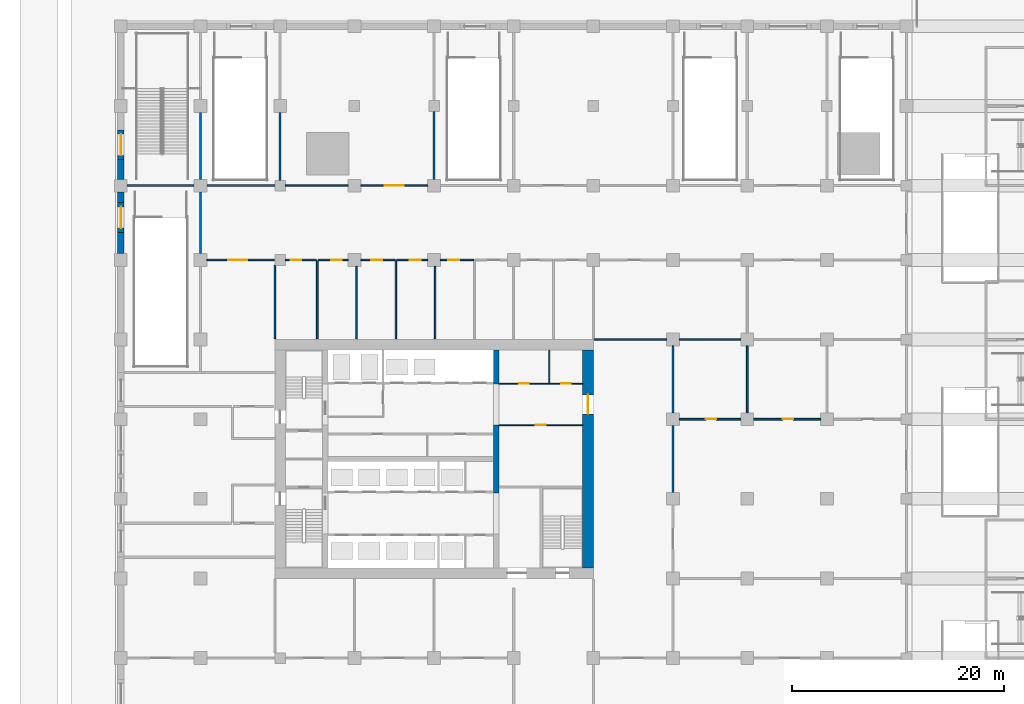
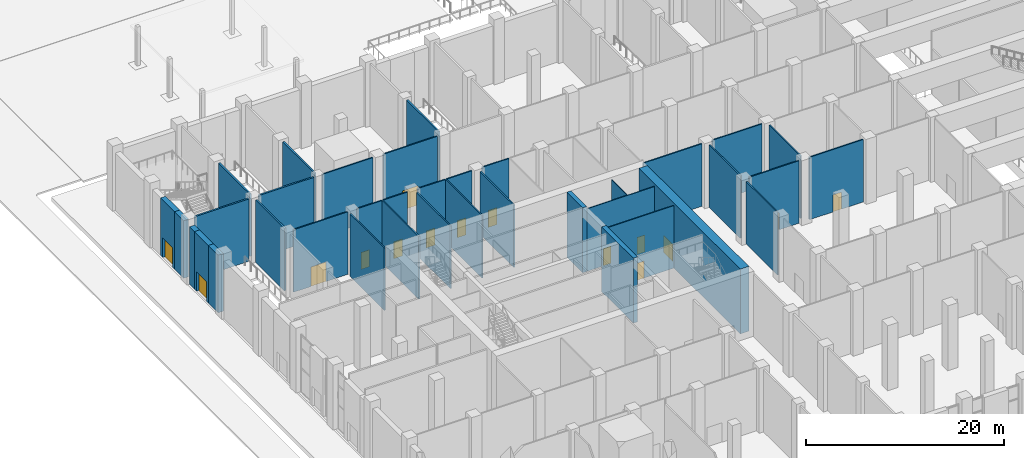
# One storey, part 29 of 57: 37 walls, 15 doors, 15 openings.
"""IFC4 building model written with IfcOpenShell, lengths in metres."""

from ifc_helpers import new_model, si_unit, direction, frame, frame_2d, origin, place, context, subcontext, project, spatial, rectangle, extrude, material, layer, layer_set, type_object, element, fill, save


model = new_model("IFC4")

# Units and contexts
model_context = context("Model", 3, precision=1e-05, world=origin(), true_north=direction((0.0, 1.0)))
body_context = subcontext(model_context, "Body", "Model", "MODEL_VIEW")
ifc_project = project(units=[si_unit("LENGTHUNIT", "METRE"), si_unit("AREAUNIT", "SQUARE_METRE"), si_unit("VOLUMEUNIT", "CUBIC_METRE"), si_unit("PLANEANGLEUNIT", "RADIAN"), si_unit("MASSUNIT", "GRAM", prefix="KILO")], contexts=[model_context])

# Site, building, storey
site_placement = place(None, origin())
site = spatial("IfcSite", under=ifc_project, at=site_placement, CompositionType="ELEMENT")
building_placement = place(site_placement, origin())
building = spatial("IfcBuilding", under=site, at=building_placement, Name="Tamorin Gate", CompositionType="ELEMENT")
storey_placement = place(building_placement, origin())
storey = spatial("IfcBuildingStorey", under=building, at=storey_placement, Name="L00", CompositionType="ELEMENT", Elevation=0.0)

# Wall
ifc_material_1 = material(Name="Concrete masonry C20/25", Category="masonry")
ifc_layer_1 = layer(ifc_material_1, 0.14990234375)
ifc_layer_set_1 = layer_set([ifc_layer_1], Name="Partition 150")
wall_type_1 = type_object("IfcWallType", Name="Partition 150", PredefinedType="PARTITIONING", material=ifc_layer_set_1)
wall_1_placement = place(storey_placement, frame((31.0, 97.0, 0.0), z_axis=(0.0, 0.0, 1.0), x_axis=(1.0, 0.0, 0.0)))
element("IfcWall", 1, at=wall_1_placement, inside=storey, type_object=wall_type_1, Name="Partition 150 L00", PredefinedType="PARTITIONING", context=body_context, shape_type="SweptSolid", body=[
    extrude(rectangle(XDim=5.89990234375, YDim=0.14990234375, at=frame_2d((2.949951171875, 0.0))), origin(), (0.0, 0.0, 1.0), 7.699951171875),
])

# Wall, opening, door
wall_2_placement = place(storey_placement, frame((44.39990234375, 97.0, 0.0), z_axis=(0.0, 0.0, 1.0), x_axis=(-1.0, 0.0, 0.0)))
wall_2 = element("IfcWall", 2, at=wall_2_placement, inside=storey, type_object=wall_type_1, Name="Partition 150 L00", PredefinedType="PARTITIONING", context=body_context, shape_type="SweptSolid", body=[
    extrude(rectangle(XDim=6.2998046875, YDim=0.14990234375, at=frame_2d((3.14990234375, 0.0))), origin(), (0.0, 0.0, 1.0), 7.699951171875),
])
opening_1_placement = place(wall_2_placement, frame((2.25, 0.0, 0.0)))
opening_1 = element("IfcOpeningElement", 3, at=opening_1_placement, cuts=wall_2, Name="Opening DP3", PredefinedType="OPENING", context=body_context, shape_type="SweptSolid", body=[
    extrude(rectangle(XDim=1.800048828125, YDim=2.39990234375, at=frame_2d((0.89990234375, 1.199951171875))), frame((0.0, 0.0849609375, 0.0), z_axis=(0.0, -1.0, 0.0), x_axis=(1.0, 0.0, 0.0)), (0.0, 0.0, 1.0), 0.169921875),
])
ifc_material_2 = material(Name="Steel and glass", Category="steel")
door_type_1 = type_object("IfcDoorType", Name="Door pair 1800", OperationType="DOUBLE_DOOR_SINGLE_SWING", PredefinedType="DOOR", material=ifc_material_2)
door_1_placement = place(opening_1_placement, origin())
door_1 = element("IfcDoor", 4, at=door_1_placement, inside=storey, type_object=door_type_1, Name="Door pair 1800 L00", OperationType="SINGLE_SWING_LEFT", OverallHeight=2.39990234375, OverallWidth=1.800048828125, PredefinedType="DOOR", context=body_context, shape_type="SweptSolid", body=[
    extrude(rectangle(XDim=1.800048828125, YDim=2.39990234375, at=frame_2d((0.89990234375, 1.199951171875))), frame((0.0, 0.02490234375, 0.0), z_axis=(0.0, -1.0, 0.0), x_axis=(1.0, 0.0, 0.0)), (0.0, 0.0, 1.0), 0.050048828125),
])
fill(opening_1, door_1)

wall_3_placement = place(storey_placement, frame((23.60009765625, 90.0, 0.0), z_axis=(0.0, 0.0, 1.0), x_axis=(1.0, 0.0, 0.0)))
wall_3 = element("IfcWall", 5, at=wall_3_placement, inside=storey, type_object=wall_type_1, Name="Partition 150 L00", PredefinedType="PARTITIONING", context=body_context, shape_type="SweptSolid", body=[
    extrude(rectangle(XDim=6.324951171875, YDim=0.14990234375, at=frame_2d((3.16259765625, 0.0))), origin(), (0.0, 0.0, 1.0), 7.699951171875),
])
opening_2_placement = place(wall_3_placement, frame((2.0, 0.0, 0.0)))
opening_2 = element("IfcOpeningElement", 6, at=opening_2_placement, cuts=wall_3, Name="Opening DP3", PredefinedType="OPENING", context=body_context, shape_type="SweptSolid", body=[
    extrude(rectangle(XDim=1.800048828125, YDim=2.39990234375, at=frame_2d((0.89990234375, 1.199951171875))), frame((0.0, 0.0849609375, 0.0), z_axis=(0.0, -1.0, 0.0), x_axis=(1.0, 0.0, 0.0)), (0.0, 0.0, 1.0), 0.169921875),
])
door_2_placement = place(opening_2_placement, origin())
door_2 = element("IfcDoor", 7, at=door_2_placement, inside=storey, type_object=door_type_1, Name="Door pair 1800 L00", OperationType="SINGLE_SWING_LEFT", OverallHeight=2.39990234375, OverallWidth=1.800048828125, PredefinedType="DOOR", context=body_context, shape_type="SweptSolid", body=[
    extrude(rectangle(XDim=1.800048828125, YDim=2.39990234375, at=frame_2d((0.89990234375, 1.199951171875))), frame((0.0, 0.02490234375, 0.0), z_axis=(0.0, -1.0, 0.0), x_axis=(1.0, 0.0, 0.0)), (0.0, 0.0, 1.0), 0.050048828125),
])
fill(opening_2, door_2)

wall_4_placement = place(storey_placement, frame((31.0, 90.0, 0.0), z_axis=(0.0, 0.0, 1.0), x_axis=(1.0, 0.0, 0.0)))
wall_4 = element("IfcWall", 8, at=wall_4_placement, inside=storey, type_object=wall_type_1, Name="Partition 150 L00", PredefinedType="PARTITIONING", context=body_context, shape_type="SweptSolid", body=[
    extrude(rectangle(XDim=2.925048828125, YDim=0.14990234375, at=frame_2d((1.46240234375, 0.0))), origin(), (0.0, 0.0, 1.0), 7.699951171875),
])
opening_3_placement = place(wall_4_placement, frame((0.5, 0.0, 0.0)))
opening_3 = element("IfcOpeningElement", 9, at=opening_3_placement, cuts=wall_4, Name="Opening DP2", PredefinedType="OPENING", context=body_context, shape_type="SweptSolid", body=[
    extrude(rectangle(XDim=1.0, YDim=2.10009765625, at=frame_2d((0.5, 1.050048828125))), frame((0.0, 0.0849609375, 0.0), z_axis=(0.0, -1.0, 0.0), x_axis=(1.0, 0.0, 0.0)), (0.0, 0.0, 1.0), 0.169921875),
])
ifc_material_3 = material(Name="Painted steel", Category="steel")
door_type_2 = type_object("IfcDoorType", Name="Door single 1000", OperationType="SINGLE_SWING_LEFT", PredefinedType="DOOR", material=ifc_material_3)
door_3_placement = place(opening_3_placement, origin())
door_3 = element("IfcDoor", 10, at=door_3_placement, inside=storey, type_object=door_type_2, Name="Door single 1000 L00", OperationType="SINGLE_SWING_LEFT", OverallHeight=2.10009765625, OverallWidth=1.0, PredefinedType="DOOR", context=body_context, shape_type="SweptSolid", body=[
    extrude(rectangle(XDim=1.0, YDim=2.10009765625, at=frame_2d((0.5, 1.050048828125))), frame((0.0, 0.02490234375, 0.0), z_axis=(0.0, -1.0, 0.0), x_axis=(1.0, 0.0, 0.0)), (0.0, 0.0, 1.0), 0.050048828125),
])
fill(opening_3, door_3)

wall_5_placement = place(storey_placement, frame((34.074951171875, 90.0, 0.0), z_axis=(0.0, 0.0, 1.0), x_axis=(1.0, 0.0, 0.0)))
wall_5 = element("IfcWall", 11, at=wall_5_placement, inside=storey, type_object=wall_type_1, Name="Partition 150 L00", PredefinedType="PARTITIONING", context=body_context, shape_type="SweptSolid", body=[
    extrude(rectangle(XDim=2.824951171875, YDim=0.14990234375, at=frame_2d((1.41259765625, 0.0))), origin(), (0.0, 0.0, 1.0), 7.699951171875),
])
opening_4_placement = place(wall_5_placement, frame((1.25, 0.0, 0.0)))
opening_4 = element("IfcOpeningElement", 12, at=opening_4_placement, cuts=wall_5, Name="Opening DP2", PredefinedType="OPENING", context=body_context, shape_type="SweptSolid", body=[
    extrude(rectangle(XDim=1.0, YDim=2.10009765625, at=frame_2d((0.5, 1.050048828125))), frame((0.0, 0.0849609375, 0.0), z_axis=(0.0, -1.0, 0.0), x_axis=(1.0, 0.0, 0.0)), (0.0, 0.0, 1.0), 0.169921875),
])
door_4_placement = place(opening_4_placement, origin())
door_4 = element("IfcDoor", 13, at=door_4_placement, inside=storey, type_object=door_type_2, Name="Door single 1000 L00", OperationType="SINGLE_SWING_LEFT", OverallHeight=2.10009765625, OverallWidth=1.0, PredefinedType="DOOR", context=body_context, shape_type="SweptSolid", body=[
    extrude(rectangle(XDim=1.0, YDim=2.10009765625, at=frame_2d((0.5, 1.050048828125))), frame((0.0, 0.02490234375, 0.0), z_axis=(0.0, -1.0, 0.0), x_axis=(1.0, 0.0, 0.0)), (0.0, 0.0, 1.0), 0.050048828125),
])
fill(opening_4, door_4)

wall_6_placement = place(storey_placement, frame((38.10009765625, 90.0, 0.0), z_axis=(0.0, 0.0, 1.0), x_axis=(1.0, 0.0, 0.0)))
wall_6 = element("IfcWall", 14, at=wall_6_placement, inside=storey, type_object=wall_type_1, Name="Partition 150 L00", PredefinedType="PARTITIONING", context=body_context, shape_type="SweptSolid", body=[
    extrude(rectangle(XDim=3.224853515625, YDim=0.14990234375, at=frame_2d((1.6123046875, 0.0))), origin(), (0.0, 0.0, 1.0), 7.699951171875),
])
opening_5_placement = place(wall_6_placement, frame((1.0, 0.0, 0.0)))
opening_5 = element("IfcOpeningElement", 15, at=opening_5_placement, cuts=wall_6, Name="Opening DP2", PredefinedType="OPENING", context=body_context, shape_type="SweptSolid", body=[
    extrude(rectangle(XDim=1.0, YDim=2.10009765625, at=frame_2d((0.5, 1.050048828125))), frame((0.0, 0.0849609375, 0.0), z_axis=(0.0, -1.0, 0.0), x_axis=(1.0, 0.0, 0.0)), (0.0, 0.0, 1.0), 0.169921875),
])
door_5_placement = place(opening_5_placement, origin())
door_5 = element("IfcDoor", 16, at=door_5_placement, inside=storey, type_object=door_type_2, Name="Door single 1000 L00", OperationType="SINGLE_SWING_LEFT", OverallHeight=2.10009765625, OverallWidth=1.0, PredefinedType="DOOR", context=body_context, shape_type="SweptSolid", body=[
    extrude(rectangle(XDim=1.0, YDim=2.10009765625, at=frame_2d((0.5, 1.050048828125))), frame((0.0, 0.02490234375, 0.0), z_axis=(0.0, -1.0, 0.0), x_axis=(1.0, 0.0, 0.0)), (0.0, 0.0, 1.0), 0.050048828125),
])
fill(opening_5, door_5)

wall_7_placement = place(storey_placement, frame((41.47509765625, 90.0, 0.0), z_axis=(0.0, 0.0, 1.0), x_axis=(1.0, 0.0, 0.0)))
wall_7 = element("IfcWall", 17, at=wall_7_placement, inside=storey, type_object=wall_type_1, Name="Partition 150 L00", PredefinedType="PARTITIONING", context=body_context, shape_type="SweptSolid", body=[
    extrude(rectangle(XDim=2.9248046875, YDim=0.14990234375, at=frame_2d((1.46240234375, 0.0))), origin(), (0.0, 0.0, 1.0), 7.699951171875),
])
opening_6_placement = place(wall_7_placement, frame((1.25, 0.0, 0.0)))
opening_6 = element("IfcOpeningElement", 18, at=opening_6_placement, cuts=wall_7, Name="Opening DP2", PredefinedType="OPENING", context=body_context, shape_type="SweptSolid", body=[
    extrude(rectangle(XDim=1.0, YDim=2.10009765625, at=frame_2d((0.5, 1.050048828125))), frame((0.0, 0.0849609375, 0.0), z_axis=(0.0, -1.0, 0.0), x_axis=(1.0, 0.0, 0.0)), (0.0, 0.0, 1.0), 0.169921875),
])
door_6_placement = place(opening_6_placement, origin())
door_6 = element("IfcDoor", 19, at=door_6_placement, inside=storey, type_object=door_type_2, Name="Door single 1000 L00", OperationType="SINGLE_SWING_LEFT", OverallHeight=2.10009765625, OverallWidth=1.0, PredefinedType="DOOR", context=body_context, shape_type="SweptSolid", body=[
    extrude(rectangle(XDim=1.0, YDim=2.10009765625, at=frame_2d((0.5, 1.050048828125))), frame((0.0, 0.02490234375, 0.0), z_axis=(0.0, -1.0, 0.0), x_axis=(1.0, 0.0, 0.0)), (0.0, 0.0, 1.0), 0.050048828125),
])
fill(opening_6, door_6)

wall_8_placement = place(storey_placement, frame((45.60009765625, 90.0, 0.0), z_axis=(0.0, 0.0, 1.0), x_axis=(1.0, 0.0, 0.0)))
wall_8 = element("IfcWall", 20, at=wall_8_placement, inside=storey, type_object=wall_type_1, Name="Partition 150 L00", PredefinedType="PARTITIONING", context=body_context, shape_type="SweptSolid", body=[
    extrude(rectangle(XDim=3.125, YDim=0.14990234375, at=frame_2d((1.5625, 0.0))), origin(), (0.0, 0.0, 1.0), 7.699951171875),
])
opening_7_placement = place(wall_8_placement, frame((0.75, 0.0, 0.0)))
opening_7 = element("IfcOpeningElement", 21, at=opening_7_placement, cuts=wall_8, Name="Opening DP2", PredefinedType="OPENING", context=body_context, shape_type="SweptSolid", body=[
    extrude(rectangle(XDim=1.0, YDim=2.10009765625, at=frame_2d((0.5, 1.050048828125))), frame((0.0, 0.0849609375, 0.0), z_axis=(0.0, -1.0, 0.0), x_axis=(1.0, 0.0, 0.0)), (0.0, 0.0, 1.0), 0.169921875),
])
door_7_placement = place(opening_7_placement, origin())
door_7 = element("IfcDoor", 22, at=door_7_placement, inside=storey, type_object=door_type_2, Name="Door single 1000 L00", OperationType="SINGLE_SWING_LEFT", OverallHeight=2.10009765625, OverallWidth=1.0, PredefinedType="DOOR", context=body_context, shape_type="SweptSolid", body=[
    extrude(rectangle(XDim=1.0, YDim=2.10009765625, at=frame_2d((0.5, 1.050048828125))), frame((0.0, 0.02490234375, 0.0), z_axis=(0.0, -1.0, 0.0), x_axis=(1.0, 0.0, 0.0)), (0.0, 0.0, 1.0), 0.050048828125),
])
fill(opening_7, door_7)

# Walls
wall_9_placement = place(storey_placement, frame((60.074951171875, 82.5, 0.0), z_axis=(0.0, 0.0, 1.0), x_axis=(1.0, 0.0, 0.0)))
element("IfcWall", 23, at=wall_9_placement, inside=storey, type_object=wall_type_1, Name="Partition 150 L00", PredefinedType="PARTITIONING", context=body_context, shape_type="SweptSolid", body=[
    extrude(rectangle(XDim=6.824951171875, YDim=0.14990234375, at=frame_2d((3.41259765625, 0.0))), origin(), (0.0, 0.0, 1.0), 7.699951171875),
])
wall_10_placement = place(storey_placement, frame((68.10009765625, 82.5, 0.0), z_axis=(0.0, 0.0, 1.0), x_axis=(1.0, 0.0, 0.0)))
element("IfcWall", 24, at=wall_10_placement, inside=storey, type_object=wall_type_1, Name="Partition 150 L00", PredefinedType="PARTITIONING", context=body_context, shape_type="SweptSolid", body=[
    extrude(rectangle(XDim=5.7998046875, YDim=0.14990234375, at=frame_2d((2.89990234375, 0.0))), origin(), (0.0, 0.0, 1.0), 7.699951171875),
])

# Wall, opening, door
wall_11_placement = place(storey_placement, frame((73.89990234375, 75.0, 0.0), z_axis=(0.0, 0.0, 1.0), x_axis=(-1.0, 0.0, 0.0)))
wall_11 = element("IfcWall", 25, at=wall_11_placement, inside=storey, type_object=wall_type_1, Name="Partition 150 L00", PredefinedType="PARTITIONING", context=body_context, shape_type="SweptSolid", body=[
    extrude(rectangle(XDim=5.7998046875, YDim=0.14990234375, at=frame_2d((2.89990234375, 0.0))), origin(), (0.0, 0.0, 1.0), 7.699951171875),
])
opening_8_placement = place(wall_11_placement, frame((2.300048828125, 0.0, 0.0)))
opening_8 = element("IfcOpeningElement", 26, at=opening_8_placement, cuts=wall_11, Name="Opening DP2", PredefinedType="OPENING", context=body_context, shape_type="SweptSolid", body=[
    extrude(rectangle(XDim=1.0, YDim=2.10009765625, at=frame_2d((0.5, 1.050048828125))), frame((0.0, 0.0849609375, 0.0), z_axis=(0.0, -1.0, 0.0), x_axis=(1.0, 0.0, 0.0)), (0.0, 0.0, 1.0), 0.169921875),
])
door_8_placement = place(opening_8_placement, origin())
door_8 = element("IfcDoor", 27, at=door_8_placement, inside=storey, type_object=door_type_2, Name="Door single 1000 L00", OperationType="SINGLE_SWING_LEFT", OverallHeight=2.10009765625, OverallWidth=1.0, PredefinedType="DOOR", context=body_context, shape_type="SweptSolid", body=[
    extrude(rectangle(XDim=1.0, YDim=2.10009765625, at=frame_2d((0.5, 1.050048828125))), frame((0.0, 0.02490234375, 0.0), z_axis=(0.0, -1.0, 0.0), x_axis=(1.0, 0.0, 0.0)), (0.0, 0.0, 1.0), 0.050048828125),
])
fill(opening_8, door_8)

wall_12_placement = place(storey_placement, frame((81.39990234375, 75.0, 0.0), z_axis=(0.0, 0.0, 1.0), x_axis=(-1.0, 0.0, 0.0)))
wall_12 = element("IfcWall", 28, at=wall_12_placement, inside=storey, type_object=wall_type_1, Name="Partition 150 L00", PredefinedType="PARTITIONING", context=body_context, shape_type="SweptSolid", body=[
    extrude(rectangle(XDim=6.2998046875, YDim=0.14990234375, at=frame_2d((3.14990234375, 0.0))), origin(), (0.0, 0.0, 1.0), 7.699951171875),
])
opening_9_placement = place(wall_12_placement, frame((2.550048828125, 0.0, 0.0)))
opening_9 = element("IfcOpeningElement", 29, at=opening_9_placement, cuts=wall_12, Name="Opening DP2", PredefinedType="OPENING", context=body_context, shape_type="SweptSolid", body=[
    extrude(rectangle(XDim=1.0, YDim=2.10009765625, at=frame_2d((0.5, 1.050048828125))), frame((0.0, 0.0849609375, 0.0), z_axis=(0.0, -1.0, 0.0), x_axis=(1.0, 0.0, 0.0)), (0.0, 0.0, 1.0), 0.169921875),
])
door_9_placement = place(opening_9_placement, origin())
door_9 = element("IfcDoor", 30, at=door_9_placement, inside=storey, type_object=door_type_2, Name="Door single 1000 L00", OperationType="SINGLE_SWING_LEFT", OverallHeight=2.10009765625, OverallWidth=1.0, PredefinedType="DOOR", context=body_context, shape_type="SweptSolid", body=[
    extrude(rectangle(XDim=1.0, YDim=2.10009765625, at=frame_2d((0.5, 1.050048828125))), frame((0.0, 0.02490234375, 0.0), z_axis=(0.0, -1.0, 0.0), x_axis=(1.0, 0.0, 0.0)), (0.0, 0.0, 1.0), 0.050048828125),
])
fill(opening_9, door_9)

# Walls
wall_13_placement = place(storey_placement, frame((30.0, 82.574951171875, 0.0), z_axis=(0.0, 0.0, 1.0), x_axis=(0.0, 1.0, 0.0)))
element("IfcWall", 31, at=wall_13_placement, inside=storey, type_object=wall_type_1, Name="Partition 150 L00", PredefinedType="PARTITIONING", context=body_context, shape_type="SweptSolid", body=[
    extrude(rectangle(XDim=6.925048828125, YDim=0.14990234375, at=frame_2d((3.46240234375, 0.0))), origin(), (0.0, 0.0, 1.0), 7.699951171875),
])
for number, where, z_axis, x_axis, name in (
    (32, (67.5, 68.10009765625, 0.0), (0.0, 0.0, 1.0), (0.0, 1.0, 0.0), "Partition 150 L00"),
    (33, (67.5, 75.60009765625, 0.0), (0.0, 0.0, 1.0), (0.0, 1.0, 0.0), "Partition 150 L00"),
    (34, (74.5, 75.60009765625, 0.0), (0.0, 0.0, 1.0), (0.0, 1.0, 0.0), "Partition 150 L00"),
):
    element("IfcWall", number, at=place(storey_placement, frame(where, z_axis=z_axis, x_axis=x_axis)), inside=storey, type_object=wall_type_1, Name=name, PredefinedType="PARTITIONING", context=body_context, shape_type="SweptSolid", body=[
        extrude(rectangle(XDim=6.2998046875, YDim=0.14990234375, at=frame_2d((3.14990234375, 0.0))), origin(), (0.0, 0.0, 1.0), 7.699951171875),
    ])
wall_14_placement = place(storey_placement, frame((34.0, 82.574951171875, 0.0), z_axis=(0.0, 0.0, 1.0), x_axis=(0.0, 1.0, 0.0)))
element("IfcWall", 35, at=wall_14_placement, inside=storey, type_object=wall_type_1, Name="Partition 150 L00", PredefinedType="PARTITIONING", context=body_context, shape_type="SweptSolid", body=[
    extrude(rectangle(XDim=7.35009765625, YDim=0.14990234375, at=frame_2d((3.675048828125, 0.0))), origin(), (0.0, 0.0, 1.0), 7.699951171875),
])
wall_15_placement = place(storey_placement, frame((37.699951171875, 82.574951171875, 0.0), z_axis=(0.0, 0.0, 1.0), x_axis=(0.0, 1.0, 0.0)))
element("IfcWall", 36, at=wall_15_placement, inside=storey, type_object=wall_type_1, Name="Partition 150 L00", PredefinedType="PARTITIONING", context=body_context, shape_type="SweptSolid", body=[
    extrude(rectangle(XDim=6.824951171875, YDim=0.14990234375, at=frame_2d((3.41259765625, 0.0))), origin(), (0.0, 0.0, 1.0), 7.699951171875),
])
wall_16_placement = place(storey_placement, frame((41.39990234375, 82.574951171875, 0.0), z_axis=(0.0, 0.0, 1.0), x_axis=(0.0, 1.0, 0.0)))
element("IfcWall", 37, at=wall_16_placement, inside=storey, type_object=wall_type_1, Name="Partition 150 L00", PredefinedType="PARTITIONING", context=body_context, shape_type="SweptSolid", body=[
    extrude(rectangle(XDim=7.35009765625, YDim=0.14990234375, at=frame_2d((3.675048828125, 0.0))), origin(), (0.0, 0.0, 1.0), 7.699951171875),
])
wall_17_placement = place(storey_placement, frame((45.10009765625, 82.574951171875, 0.0), z_axis=(0.0, 0.0, 1.0), x_axis=(0.0, 1.0, 0.0)))
element("IfcWall", 38, at=wall_17_placement, inside=storey, type_object=wall_type_1, Name="Partition 150 L00", PredefinedType="PARTITIONING", context=body_context, shape_type="SweptSolid", body=[
    extrude(rectangle(XDim=6.824951171875, YDim=0.14990234375, at=frame_2d((3.41259765625, 0.0))), origin(), (0.0, 0.0, 1.0), 7.699951171875),
])

# Wall, opening, door
ifc_material_4 = material(Name="Precast concrete C40/50", Category="concrete")
ifc_layer_2 = layer(ifc_material_4, 0.60009765625)
ifc_layer_set_2 = layer_set([ifc_layer_2], Name="Precast concrete C40/50")
wall_type_2 = type_object("IfcWallType", Name="Precast plinth wall 600", PredefinedType="PARTITIONING", material=ifc_layer_set_2)
wall_18_placement = place(storey_placement, frame((15.5, 92.60009765625, 0.0), z_axis=(0.0, 0.0, 1.0), x_axis=(0.0, 1.0, 0.0)))
wall_18 = element("IfcWall", 39, at=wall_18_placement, inside=storey, type_object=wall_type_2, Name="Precast plinth wall 600 L00", PredefinedType="PARTITIONING", context=body_context, shape_type="SweptSolid", body=[
    extrude(rectangle(XDim=2.7998046875, YDim=0.60009765625, at=frame_2d((1.39990234375, 0.0))), origin(), (0.0, 0.0, 1.0), 7.10009765625),
])
opening_10_placement = place(wall_18_placement, frame((0.39990234375, 0.0, 0.0)))
opening_10 = element("IfcOpeningElement", 40, at=opening_10_placement, cuts=wall_18, Name="Opening DP4", PredefinedType="OPENING", context=body_context, shape_type="SweptSolid", body=[
    extrude(rectangle(XDim=2.0, YDim=2.39990234375, at=frame_2d((1.0, 1.199951171875))), frame((0.0, 0.31005859375, 0.0), z_axis=(0.0, -1.0, 0.0), x_axis=(1.0, 0.0, 0.0)), (0.0, 0.0, 1.0), 0.6201171875),
])
door_type_3 = type_object("IfcDoorType", Name="Exit door pair 2000", OperationType="DOUBLE_DOOR_SINGLE_SWING", PredefinedType="DOOR", material=ifc_material_2)
door_10_placement = place(opening_10_placement, origin())
door_10 = element("IfcDoor", 41, at=door_10_placement, inside=storey, type_object=door_type_3, Name="Exit door pair 2000 L00", OperationType="SINGLE_SWING_LEFT", OverallHeight=2.39990234375, OverallWidth=2.0, PredefinedType="DOOR", context=body_context, shape_type="SweptSolid", body=[
    extrude(rectangle(XDim=2.0, YDim=2.39990234375, at=frame_2d((1.0, 1.199951171875))), frame((0.0, 0.02490234375, 0.0), z_axis=(0.0, -1.0, 0.0), x_axis=(1.0, 0.0, 0.0)), (0.0, 0.0, 1.0), 0.050048828125),
])
fill(opening_10, door_10)

# Walls
wall_19_placement = place(storey_placement, frame((15.5, 90.60009765625, 0.0), z_axis=(0.0, 0.0, 1.0), x_axis=(0.0, 1.0, 0.0)))
element("IfcWall", 42, at=wall_19_placement, inside=storey, type_object=wall_type_2, Name="Precast plinth wall 600 L00", PredefinedType="PARTITIONING", context=body_context, shape_type="SweptSolid", body=[
    extrude(rectangle(XDim=2.0, YDim=0.60009765625, at=frame_2d((1.0, 0.0))), origin(), (0.0, 0.0, 1.0), 7.10009765625),
])
wall_20_placement = place(storey_placement, frame((15.5, 95.39990234375, 0.0), z_axis=(0.0, 0.0, 1.0), x_axis=(0.0, 1.0, 0.0)))
element("IfcWall", 43, at=wall_20_placement, inside=storey, type_object=wall_type_2, Name="Precast plinth wall 600 L00", PredefinedType="PARTITIONING", context=body_context, shape_type="SweptSolid", body=[
    extrude(rectangle(XDim=1.0, YDim=0.60009765625, at=frame_2d((0.5, 0.0))), origin(), (0.0, 0.0, 1.0), 7.10009765625),
])

# Wall, opening, door
wall_21_placement = place(storey_placement, frame((15.5, 99.449951171875, 0.0), z_axis=(0.0, 0.0, 1.0), x_axis=(0.0, 1.0, 0.0)))
wall_21 = element("IfcWall", 44, at=wall_21_placement, inside=storey, type_object=wall_type_2, Name="Precast plinth wall 600 L00", PredefinedType="PARTITIONING", context=body_context, shape_type="SweptSolid", body=[
    extrude(rectangle(XDim=2.800048828125, YDim=0.60009765625, at=frame_2d((1.39990234375, 0.0))), origin(), (0.0, 0.0, 1.0), 7.10009765625),
])
opening_11_placement = place(wall_21_placement, frame((0.39990234375, 0.0, 0.0)))
opening_11 = element("IfcOpeningElement", 45, at=opening_11_placement, cuts=wall_21, Name="Opening DP4", PredefinedType="OPENING", context=body_context, shape_type="SweptSolid", body=[
    extrude(rectangle(XDim=2.0, YDim=2.39990234375, at=frame_2d((1.0, 1.199951171875))), frame((0.0, 0.31005859375, 0.0), z_axis=(0.0, -1.0, 0.0), x_axis=(1.0, 0.0, 0.0)), (0.0, 0.0, 1.0), 0.6201171875),
])
door_11_placement = place(opening_11_placement, origin())
door_11 = element("IfcDoor", 46, at=door_11_placement, inside=storey, type_object=door_type_3, Name="Exit door pair 2000 L00", OperationType="SINGLE_SWING_LEFT", OverallHeight=2.39990234375, OverallWidth=2.0, PredefinedType="DOOR", context=body_context, shape_type="SweptSolid", body=[
    extrude(rectangle(XDim=2.0, YDim=2.39990234375, at=frame_2d((1.0, 1.199951171875))), frame((0.0, 0.02490234375, 0.0), z_axis=(0.0, -1.0, 0.0), x_axis=(1.0, 0.0, 0.0)), (0.0, 0.0, 1.0), 0.050048828125),
])
fill(opening_11, door_11)

# Walls
wall_22_placement = place(storey_placement, frame((15.5, 97.60009765625, 0.0), z_axis=(0.0, 0.0, 1.0), x_axis=(0.0, 1.0, 0.0)))
element("IfcWall", 47, at=wall_22_placement, inside=storey, type_object=wall_type_2, Name="Precast plinth wall 600 L00", PredefinedType="PARTITIONING", context=body_context, shape_type="SweptSolid", body=[
    extrude(rectangle(XDim=1.849853515625, YDim=0.60009765625, at=frame_2d((0.9248046875, 0.0))), origin(), (0.0, 0.0, 1.0), 7.10009765625),
])
ifc_material_5 = material(Name="Concrete C80/95", Category="concrete")
ifc_layer_3 = layer(ifc_material_5, 0.5)
ifc_layer_set_3 = layer_set([ifc_layer_3], Name="RC core internal wall 500 C80/95")
wall_type_3 = type_object("IfcWallType", Name="RC core internal wall 500 C80/95", PredefinedType="SHEAR", material=ifc_layer_set_3)
wall_23_placement = place(storey_placement, frame((50.85009765625, 68.050048828125, 0.0), z_axis=(0.0, 0.0, 1.0), x_axis=(0.0, 1.0, 0.0)))
element("IfcWall", 48, at=wall_23_placement, inside=storey, type_object=wall_type_3, Name="Core cross wall L00", PredefinedType="SHEAR", context=body_context, shape_type="SweptSolid", body=[
    extrude(rectangle(XDim=6.39990234375, YDim=0.5, at=frame_2d((3.199951171875, 0.0))), origin(), (0.0, 0.0, 1.0), 8.0),
])
wall_24_placement = place(storey_placement, frame((50.85009765625, 78.300048828125, 0.0), z_axis=(0.0, 0.0, 1.0), x_axis=(0.0, 1.0, 0.0)))
element("IfcWall", 49, at=wall_24_placement, inside=storey, type_object=wall_type_3, Name="Core cross wall L00", PredefinedType="SHEAR", context=body_context, shape_type="SweptSolid", body=[
    extrude(rectangle(XDim=3.199951171875, YDim=0.5, at=frame_2d((1.60009765625, 0.0))), origin(), (0.0, 0.0, 1.0), 8.0),
])

# Wall, opening, door
ifc_layer_4 = layer(ifc_material_5, 1.0)
ifc_layer_set_4 = layer_set([ifc_layer_4], Name="RC core wall 1000 C80/95")
wall_type_4 = type_object("IfcWallType", Name="RC core wall 1000 C80/95", PredefinedType="SHEAR", material=ifc_layer_set_4)
wall_25_placement = place(storey_placement, frame((59.5, 61.0, 0.0), z_axis=(0.0, 0.0, 1.0), x_axis=(0.0, 1.0, 0.0)))
wall_25 = element("IfcWall", 50, at=wall_25_placement, inside=storey, type_object=wall_type_4, Name="Core wall L00", PredefinedType="SHEAR", context=body_context, shape_type="SweptSolid", body=[
    extrude(rectangle(XDim=20.5, YDim=1.0, at=frame_2d((10.25, 0.0))), origin(), (0.0, 0.0, 1.0), 8.0),
])
opening_12_placement = place(wall_25_placement, frame((14.5, 0.0, 0.0)))
opening_12 = element("IfcOpeningElement", 51, at=opening_12_placement, cuts=wall_25, Name="Opening DE1", PredefinedType="OPENING", context=body_context, shape_type="SweptSolid", body=[
    extrude(rectangle(XDim=1.800048828125, YDim=2.10009765625, at=frame_2d((0.89990234375, 1.050048828125))), frame((0.0, 0.510009765625, 0.0), z_axis=(0.0, -1.0, 0.0), x_axis=(1.0, 0.0, 0.0)), (0.0, 0.0, 1.0), 1.02001953125),
])
ifc_material_6 = material(Name="Steel fire door", Category="steel")
door_type_4 = type_object("IfcDoorType", Name="Lobby exit double door 1800 x 2100 EI 60", OperationType="DOUBLE_DOOR_SINGLE_SWING", PredefinedType="DOOR", material=ifc_material_6)
door_12_placement = place(opening_12_placement, origin())
door_12 = element("IfcDoor", 52, at=door_12_placement, inside=storey, type_object=door_type_4, Name="Lift lobby B exit door", OperationType="DOUBLE_DOOR_SINGLE_SWING", OverallHeight=2.10009765625, OverallWidth=1.800048828125, PredefinedType="DOOR", context=body_context, shape_type="SweptSolid", body=[
    extrude(rectangle(XDim=1.800048828125, YDim=2.10009765625, at=frame_2d((0.89990234375, 1.050048828125))), frame((0.0, 0.02490234375, 0.0), z_axis=(0.0, -1.0, 0.0), x_axis=(1.0, 0.0, 0.0)), (0.0, 0.0, 1.0), 0.050048828125),
])
fill(opening_12, door_12)

ifc_material_7 = material(Name="Gypsum board partition")
ifc_layer_5 = layer(ifc_material_7, 0.10009765625)
ifc_layer_set_5 = layer_set([ifc_layer_5], Name="Service room partition 100 EI 60")
wall_type_5 = type_object("IfcWallType", Name="Service room partition 100 EI 60", PredefinedType="PARTITIONING", material=ifc_layer_set_5)
wall_26_placement = place(storey_placement, frame((51.10009765625, 74.449951171875, 0.0), z_axis=(0.0, 0.0, 1.0), x_axis=(1.0, 0.0, 0.0)))
wall_26 = element("IfcWall", 53, at=wall_26_placement, inside=storey, type_object=wall_type_5, Name="Service room wall", PredefinedType="PARTITIONING", context=body_context, shape_type="SweptSolid", body=[
    extrude(rectangle(XDim=7.89990234375, YDim=0.10009765625, at=frame_2d((3.949951171875, 0.0))), origin(), (0.0, 0.0, 1.0), 7.699951171875),
])
opening_13_placement = place(wall_26_placement, frame((3.5, 0.0, 0.0)))
opening_13 = element("IfcOpeningElement", 54, at=opening_13_placement, cuts=wall_26, Name="Opening DR1", PredefinedType="OPENING", context=body_context, shape_type="SweptSolid", body=[
    extrude(rectangle(XDim=0.89990234375, YDim=2.10009765625, at=frame_2d((0.449951171875, 1.050048828125))), frame((0.0, 0.06005859375, 0.0), z_axis=(0.0, -1.0, 0.0), x_axis=(1.0, 0.0, 0.0)), (0.0, 0.0, 1.0), 0.1201171875),
])
door_type_5 = type_object("IfcDoorType", Name="Riser access door 900 x 2100 EI 120", OperationType="SINGLE_SWING_LEFT", PredefinedType="DOOR", material=ifc_material_6)
door_13_placement = place(opening_13_placement, origin())
door_13 = element("IfcDoor", 55, at=door_13_placement, inside=storey, type_object=door_type_5, Name="Duct riser door", OperationType="SINGLE_SWING_RIGHT", OverallHeight=2.10009765625, OverallWidth=0.89990234375, PredefinedType="DOOR", context=body_context, shape_type="SweptSolid", body=[
    extrude(rectangle(XDim=0.89990234375, YDim=2.10009765625, at=frame_2d((0.449951171875, 1.050048828125))), frame((0.0, 0.02490234375, 0.0), z_axis=(0.0, -1.0, 0.0), x_axis=(1.0, 0.0, 0.0)), (0.0, 0.0, 1.0), 0.050048828125),
])
fill(opening_13, door_13)

# Wall, openings, doors
wall_27_placement = place(storey_placement, frame((51.10009765625, 78.35009765625, 0.0), z_axis=(0.0, 0.0, 1.0), x_axis=(1.0, 0.0, 0.0)))
wall_27 = element("IfcWall", 56, at=wall_27_placement, inside=storey, type_object=wall_type_5, Name="Service room wall", PredefinedType="PARTITIONING", context=body_context, shape_type="SweptSolid", body=[
    extrude(rectangle(XDim=7.89990234375, YDim=0.10009765625, at=frame_2d((3.949951171875, 0.0))), origin(), (0.0, 0.0, 1.0), 7.699951171875),
])
opening_14_placement = place(wall_27_placement, frame((1.925048828125, 0.0, 0.0)))
opening_14 = element("IfcOpeningElement", 57, at=opening_14_placement, cuts=wall_27, Name="Opening DK1", PredefinedType="OPENING", context=body_context, shape_type="SweptSolid", body=[
    extrude(rectangle(XDim=0.89990234375, YDim=2.10009765625, at=frame_2d((0.449951171875, 1.050048828125))), frame((0.0, 0.06005859375, 0.0), z_axis=(0.0, -1.0, 0.0), x_axis=(1.0, 0.0, 0.0)), (0.0, 0.0, 1.0), 0.1201171875),
])
opening_15_placement = place(wall_27_placement, frame((5.875, 0.0, 0.0)))
opening_15 = element("IfcOpeningElement", 58, at=opening_15_placement, cuts=wall_27, Name="Opening DK1", PredefinedType="OPENING", context=body_context, shape_type="SweptSolid", body=[
    extrude(rectangle(XDim=0.89990234375, YDim=2.10009765625, at=frame_2d((0.449951171875, 1.050048828125))), frame((0.0, 0.06005859375, 0.0), z_axis=(0.0, -1.0, 0.0), x_axis=(1.0, 0.0, 0.0)), (0.0, 0.0, 1.0), 0.1201171875),
])
ifc_material_8 = material(Name="Timber fire door", Category="wood")
door_type_6 = type_object("IfcDoorType", Name="Service room door 900 x 2100 EI 60", OperationType="SINGLE_SWING_LEFT", PredefinedType="DOOR", material=ifc_material_8)
door_14_placement = place(opening_14_placement, origin())
door_14 = element("IfcDoor", 59, at=door_14_placement, inside=storey, type_object=door_type_6, Name="Door Cable riser store", OperationType="SINGLE_SWING_RIGHT", OverallHeight=2.10009765625, OverallWidth=0.89990234375, PredefinedType="DOOR", context=body_context, shape_type="SweptSolid", body=[
    extrude(rectangle(XDim=0.89990234375, YDim=2.10009765625, at=frame_2d((0.449951171875, 1.050048828125))), frame((0.0, 0.02490234375, 0.0), z_axis=(0.0, -1.0, 0.0), x_axis=(1.0, 0.0, 0.0)), (0.0, 0.0, 1.0), 0.050048828125),
])
fill(opening_14, door_14)
door_15_placement = place(opening_15_placement, origin())
door_15 = element("IfcDoor", 60, at=door_15_placement, inside=storey, type_object=door_type_6, Name="Door Cleaner's store", OperationType="SINGLE_SWING_LEFT", OverallHeight=2.10009765625, OverallWidth=0.89990234375, PredefinedType="DOOR", context=body_context, shape_type="SweptSolid", body=[
    extrude(rectangle(XDim=0.89990234375, YDim=2.10009765625, at=frame_2d((0.449951171875, 1.050048828125))), frame((0.0, 0.02490234375, 0.0), z_axis=(0.0, -1.0, 0.0), x_axis=(1.0, 0.0, 0.0)), (0.0, 0.0, 1.0), 0.050048828125),
])
fill(opening_15, door_15)

# Walls
wall_28_placement = place(storey_placement, frame((55.85009765625, 78.39990234375, 0.0), z_axis=(0.0, 0.0, 1.0), x_axis=(0.0, 1.0, 0.0)))
element("IfcWall", 61, at=wall_28_placement, inside=storey, type_object=wall_type_5, Name="Service room partition", PredefinedType="PARTITIONING", context=body_context, shape_type="SweptSolid", body=[
    extrude(rectangle(XDim=3.10009765625, YDim=0.10009765625, at=frame_2d((1.550048828125, 0.0))), origin(), (0.0, 0.0, 1.0), 7.699951171875),
])
ifc_material_9 = material(Name="Concrete C40/50", Category="concrete")
ifc_layer_6 = layer(ifc_material_9, 0.199951171875)
ifc_layer_set_6 = layer_set([ifc_layer_6], Name="Stair enclosure 200")
wall_type_6 = type_object("IfcWallType", Name="Stair enclosure 200", PredefinedType="SHEAR", material=ifc_layer_set_6)
wall_29_placement = place(storey_placement, frame((16.10009765625, 97.0, 0.0), z_axis=(0.0, 0.0, 1.0), x_axis=(1.0, 0.0, 0.0)))
element("IfcWall", 62, at=wall_29_placement, inside=storey, type_object=wall_type_6, Name="Stair enclosure 200 L00", PredefinedType="SHEAR", context=body_context, shape_type="SweptSolid", body=[
    extrude(rectangle(XDim=6.2998046875, YDim=0.199951171875, at=frame_2d((3.14990234375, 0.0))), origin(), (0.0, 0.0, 1.0), 7.699951171875),
])
wall_30_placement = place(storey_placement, frame((23.60009765625, 97.0, 0.0), z_axis=(0.0, 0.0, 1.0), x_axis=(1.0, 0.0, 0.0)))
element("IfcWall", 63, at=wall_30_placement, inside=storey, type_object=wall_type_6, Name="Stair enclosure 200 L00", PredefinedType="SHEAR", context=body_context, shape_type="SweptSolid", body=[
    extrude(rectangle(XDim=6.39990234375, YDim=0.199951171875, at=frame_2d((3.199951171875, 0.0))), origin(), (0.0, 0.0, 1.0), 7.699951171875),
])
wall_31_placement = place(storey_placement, frame((23.0, 90.60009765625, 0.0), z_axis=(0.0, 0.0, 1.0), x_axis=(0.0, 1.0, 0.0)))
element("IfcWall", 64, at=wall_31_placement, inside=storey, type_object=wall_type_6, Name="Stair enclosure 200 L00", PredefinedType="SHEAR", context=body_context, shape_type="SweptSolid", body=[
    extrude(rectangle(XDim=5.7998046875, YDim=0.199951171875, at=frame_2d((2.89990234375, 0.0))), origin(), (0.0, 0.0, 1.0), 7.699951171875),
])
wall_32_placement = place(storey_placement, frame((23.0, 97.60009765625, 0.0), z_axis=(0.0, 0.0, 1.0), x_axis=(0.0, 1.0, 0.0)))
element("IfcWall", 65, at=wall_32_placement, inside=storey, type_object=wall_type_6, Name="Stair enclosure 200 L00", PredefinedType="SHEAR", context=body_context, shape_type="SweptSolid", body=[
    extrude(rectangle(XDim=6.2998046875, YDim=0.199951171875, at=frame_2d((3.14990234375, 0.0))), origin(), (0.0, 0.0, 1.0), 7.699951171875),
])
for number, where, z_axis, x_axis, name in (
    (66, (30.5, 97.5, 0.0), (0.0, 0.0, 1.0), (0.0, 1.0, 0.0), "Stair enclosure 200 L00"),
    (67, (45.0, 97.60009765625, 0.0), (0.0, 0.0, 1.0), (0.0, 1.0, 0.0), "Stair enclosure 200 L00"),
):
    element("IfcWall", number, at=place(storey_placement, frame(where, z_axis=z_axis, x_axis=x_axis)), inside=storey, type_object=wall_type_6, Name=name, PredefinedType="SHEAR", context=body_context, shape_type="SweptSolid", body=[
        extrude(rectangle(XDim=6.39990234375, YDim=0.199951171875, at=frame_2d((3.199951171875, 0.0))), origin(), (0.0, 0.0, 1.0), 7.699951171875),
    ])

save(model, "model.ifc")
